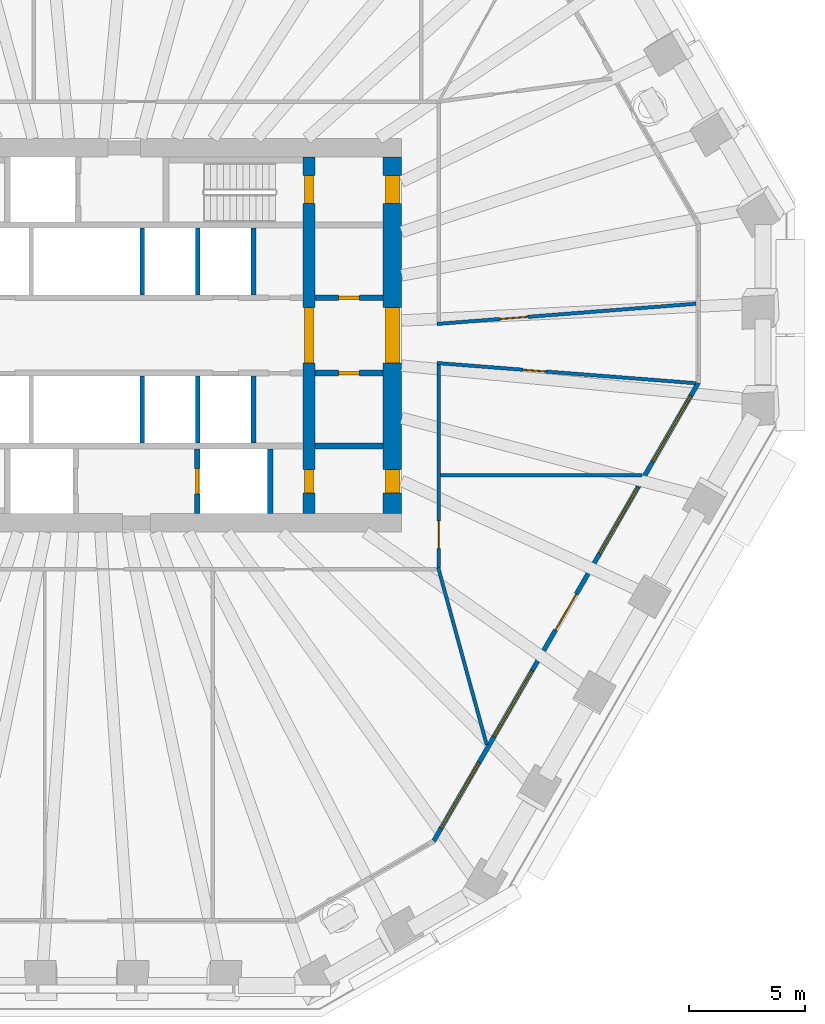
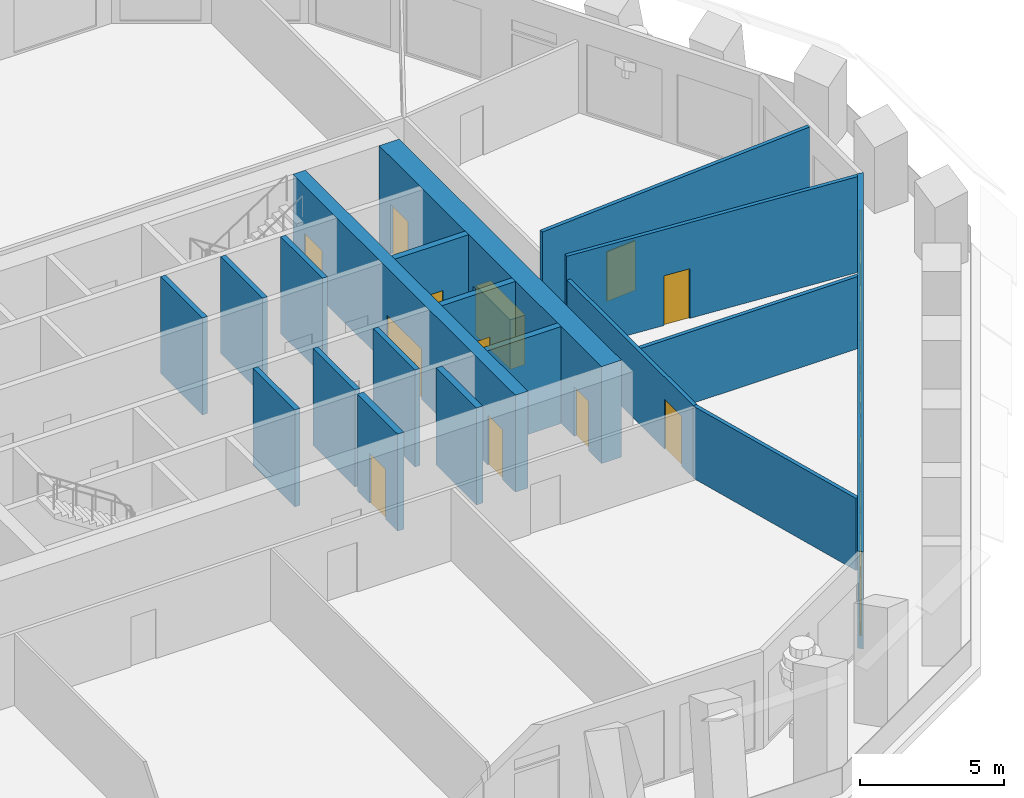
# One storey, part 5 of 12: 19 walls, 13 doors, 5 windows, 18 openings.
"""IFC4 building model written with IfcOpenShell, lengths in metres."""

from ifc_helpers import new_model, si_unit, direction, frame, frame_2d, origin, place, context, subcontext, project, spatial, polyline, rectangle, outline, extrude, material, layer, layer_set, type_object, element, fill, save


model = new_model("IFC4")

# Units and contexts
model_context = context("Model", 3, precision=1e-05, world=origin(), true_north=direction((0.0, 1.0)))
body_context = subcontext(model_context, "Body", "Model", "MODEL_VIEW")
ifc_project = project(units=[si_unit("LENGTHUNIT", "METRE"), si_unit("AREAUNIT", "SQUARE_METRE"), si_unit("VOLUMEUNIT", "CUBIC_METRE"), si_unit("PLANEANGLEUNIT", "RADIAN"), si_unit("MASSUNIT", "GRAM", prefix="KILO")], contexts=[model_context])

# Site, building, storey
site_placement = place(None, origin())
site = spatial("IfcSite", under=ifc_project, at=site_placement, CompositionType="ELEMENT")
building_placement = place(site_placement, origin())
building = spatial("IfcBuilding", under=site, at=building_placement, Name="Frailejon Research Tower", CompositionType="ELEMENT")
storey_placement = place(building_placement, frame((0.0, 0.0, 135.199951171875)))
storey = spatial("IfcBuildingStorey", under=building, at=storey_placement, Name="L29", CompositionType="ELEMENT", Elevation=135.199951171875)

# Wall, openings, doors
ifc_material_1 = material(Name="Concrete C60/75", Category="concrete")
ifc_layer_1 = layer(ifc_material_1, 0.5)
ifc_layer_set_1 = layer_set([ifc_layer_1], Name="Core shear wall 500 C60/75")
wall_type_1 = type_object("IfcWallType", Name="Core shear wall 500 C60/75", PredefinedType="SHEAR", material=ifc_layer_set_1)
wall_1_placement = place(storey_placement, frame((9.60009765625, -7.699951171875, 0.0), z_axis=(0.0, 0.0, 1.0), x_axis=(0.0, 1.0, 0.0)))
wall_1 = element("IfcWall", 1, at=wall_1_placement, inside=storey, type_object=wall_type_1, Name="Core shear wall", PredefinedType="SHEAR", context=body_context, shape_type="SweptSolid", body=[
    extrude(rectangle(XDim=15.39990234375, YDim=0.5, at=frame_2d((7.699951171875, 0.0))), origin(), (0.0, 0.0, 1.0), 4.10009765625),
])
opening_1_placement = place(wall_1_placement, frame((6.5, 0.0, 0.0)))
opening_1 = element("IfcOpeningElement", 2, at=opening_1_placement, cuts=wall_1, Name="Opening D2", PredefinedType="OPENING", context=body_context, shape_type="SweptSolid", body=[
    extrude(rectangle(XDim=2.39990234375, YDim=2.10009765625, at=frame_2d((1.199951171875, 1.050048828125))), frame((0.0, 0.260009765625, 0.0), z_axis=(0.0, -1.0, 0.0), x_axis=(1.0, 0.0, 0.0)), (0.0, 0.0, 1.0), 0.52001953125),
])
opening_2_placement = place(wall_1_placement, frame((13.39990234375, 0.0, 0.0)))
opening_2 = element("IfcOpeningElement", 3, at=opening_2_placement, cuts=wall_1, Name="Opening D1", PredefinedType="OPENING", context=body_context, shape_type="SweptSolid", body=[
    extrude(rectangle(XDim=1.199951171875, YDim=2.10009765625, at=frame_2d((0.60009765625, 1.050048828125))), frame((0.0, 0.260009765625, 0.0), z_axis=(0.0, -1.0, 0.0), x_axis=(1.0, 0.0, 0.0)), (0.0, 0.0, 1.0), 0.52001953125),
])
opening_3_placement = place(wall_1_placement, frame((0.89990234375, 0.0, 0.0)))
opening_3 = element("IfcOpeningElement", 4, at=opening_3_placement, cuts=wall_1, Name="Opening D4", PredefinedType="OPENING", context=body_context, shape_type="SweptSolid", body=[
    extrude(rectangle(XDim=1.0, YDim=2.10009765625, at=frame_2d((0.5, 1.050048828125))), frame((0.0, 0.260009765625, 0.0), z_axis=(0.0, -1.0, 0.0), x_axis=(1.0, 0.0, 0.0)), (0.0, 0.0, 1.0), 0.52001953125),
])
ifc_material_2 = material(Name="Steel", Category="steel")
door_type_1 = type_object("IfcDoorType", Name="Lobby double door", OperationType="DOUBLE_DOOR_SINGLE_SWING", PredefinedType="DOOR", material=ifc_material_2)
door_1_placement = place(opening_1_placement, origin())
door_1 = element("IfcDoor", 5, at=door_1_placement, inside=storey, type_object=door_type_1, Name="Lobby door", OperationType="DOUBLE_DOOR_SINGLE_SWING", OverallHeight=2.10009765625, OverallWidth=2.39990234375, PredefinedType="DOOR", context=body_context, shape_type="SweptSolid", body=[
    extrude(rectangle(XDim=2.39990234375, YDim=2.10009765625, at=frame_2d((1.199951171875, 1.050048828125))), frame((0.0, 0.199951171875, 0.0), z_axis=(0.0, -1.0, 0.0), x_axis=(1.0, 0.0, 0.0)), (0.0, 0.0, 1.0), 0.39990234375),
])
fill(opening_1, door_1)
ifc_material_3 = material(Name="Steel", Category="steel")
door_type_2 = type_object("IfcDoorType", Name="Service door", OperationType="SINGLE_SWING_LEFT", PredefinedType="DOOR", material=ifc_material_3)
door_2_placement = place(opening_3_placement, origin())
door_2 = element("IfcDoor", 6, at=door_2_placement, inside=storey, type_object=door_type_2, Name="Riser door", OperationType="SINGLE_SWING_RIGHT", OverallHeight=2.10009765625, OverallWidth=1.0, PredefinedType="DOOR", context=body_context, shape_type="SweptSolid", body=[
    extrude(rectangle(XDim=1.0, YDim=2.10009765625, at=frame_2d((0.5, 1.050048828125))), frame((0.0, 0.199951171875, 0.0), z_axis=(0.0, -1.0, 0.0), x_axis=(1.0, 0.0, 0.0)), (0.0, 0.0, 1.0), 0.39990234375),
])
fill(opening_3, door_2)
ifc_material_4 = material(Name="Steel", Category="steel")
door_type_3 = type_object("IfcDoorType", Name="Stair door", OperationType="SINGLE_SWING_LEFT", PredefinedType="DOOR", material=ifc_material_4)
door_3_placement = place(opening_2_placement, origin())
door_3 = element("IfcDoor", 7, at=door_3_placement, inside=storey, type_object=door_type_3, Name="Stair door ST3", OperationType="SINGLE_SWING_RIGHT", OverallHeight=2.10009765625, OverallWidth=1.199951171875, PredefinedType="DOOR", context=body_context, shape_type="SweptSolid", body=[
    extrude(rectangle(XDim=1.199951171875, YDim=2.10009765625, at=frame_2d((0.60009765625, 1.050048828125))), frame((0.0, 0.199951171875, 0.0), z_axis=(0.0, -1.0, 0.0), x_axis=(1.0, 0.0, 0.0)), (0.0, 0.0, 1.0), 0.39990234375),
])
fill(opening_2, door_3)

ifc_material_5 = material(Name="Concrete C60/75", Category="concrete")
ifc_layer_2 = layer(ifc_material_5, 0.800048828125)
ifc_layer_set_2 = layer_set([ifc_layer_2], Name="Core shear wall 800 C60/75")
wall_type_2 = type_object("IfcWallType", Name="Core shear wall 800 C60/75", PredefinedType="SHEAR", material=ifc_layer_set_2)
wall_2_placement = place(storey_placement, frame((13.199951171875, -7.699951171875, 0.0), z_axis=(0.0, 0.0, 1.0), x_axis=(0.0, 1.0, 0.0)))
wall_2 = element("IfcWall", 8, at=wall_2_placement, inside=storey, type_object=wall_type_2, Name="Core shear wall", PredefinedType="SHEAR", context=body_context, shape_type="SweptSolid", body=[
    extrude(rectangle(XDim=15.39990234375, YDim=0.800048828125, at=frame_2d((7.699951171875, 0.0))), origin(), (0.0, 0.0, 1.0), 4.10009765625),
])
opening_4_placement = place(wall_2_placement, frame((6.5, 0.0, 0.0)))
opening_4 = element("IfcOpeningElement", 9, at=opening_4_placement, cuts=wall_2, Name="Opening D2", PredefinedType="OPENING", context=body_context, shape_type="SweptSolid", body=[
    extrude(rectangle(XDim=2.39990234375, YDim=2.10009765625, at=frame_2d((1.199951171875, 1.050048828125))), frame((0.0, 0.409912109375, 0.0), z_axis=(0.0, -1.0, 0.0), x_axis=(1.0, 0.0, 0.0)), (0.0, 0.0, 1.0), 0.820068359375),
])
opening_5_placement = place(wall_2_placement, frame((13.39990234375, 0.0, 0.0)))
opening_5 = element("IfcOpeningElement", 10, at=opening_5_placement, cuts=wall_2, Name="Opening D7", PredefinedType="OPENING", context=body_context, shape_type="SweptSolid", body=[
    extrude(rectangle(XDim=1.199951171875, YDim=2.10009765625, at=frame_2d((0.60009765625, 1.050048828125))), frame((0.0, 0.409912109375, 0.0), z_axis=(0.0, -1.0, 0.0), x_axis=(1.0, 0.0, 0.0)), (0.0, 0.0, 1.0), 0.820068359375),
])
opening_6_placement = place(wall_2_placement, frame((0.89990234375, 0.0, 0.0)))
opening_6 = element("IfcOpeningElement", 11, at=opening_6_placement, cuts=wall_2, Name="Opening D4", PredefinedType="OPENING", context=body_context, shape_type="SweptSolid", body=[
    extrude(rectangle(XDim=1.0, YDim=2.10009765625, at=frame_2d((0.5, 1.050048828125))), frame((0.0, 0.409912109375, 0.0), z_axis=(0.0, -1.0, 0.0), x_axis=(1.0, 0.0, 0.0)), (0.0, 0.0, 1.0), 0.820068359375),
])
door_4_placement = place(opening_4_placement, origin())
door_4 = element("IfcDoor", 12, at=door_4_placement, inside=storey, type_object=door_type_1, Name="Lobby door", OperationType="DOUBLE_DOOR_SINGLE_SWING", OverallHeight=2.10009765625, OverallWidth=2.39990234375, PredefinedType="DOOR", context=body_context, shape_type="SweptSolid", body=[
    extrude(rectangle(XDim=2.39990234375, YDim=2.10009765625, at=frame_2d((1.199951171875, 1.050048828125))), frame((0.0, 0.300048828125, 0.0), z_axis=(0.0, -1.0, 0.0), x_axis=(1.0, 0.0, 0.0)), (0.0, 0.0, 1.0), 0.60009765625),
])
fill(opening_4, door_4)
door_5_placement = place(opening_6_placement, origin())
door_5 = element("IfcDoor", 13, at=door_5_placement, inside=storey, type_object=door_type_2, Name="Store door", OperationType="SINGLE_SWING_LEFT", OverallHeight=2.10009765625, OverallWidth=1.0, PredefinedType="DOOR", context=body_context, shape_type="SweptSolid", body=[
    extrude(rectangle(XDim=1.0, YDim=2.10009765625, at=frame_2d((0.5, 1.050048828125))), frame((0.0, 0.300048828125, 0.0), z_axis=(0.0, -1.0, 0.0), x_axis=(1.0, 0.0, 0.0)), (0.0, 0.0, 1.0), 0.60009765625),
])
fill(opening_6, door_5)
ifc_material_6 = material(Name="Steel", Category="steel")
door_type_4 = type_object("IfcDoorType", Name="Stair exit door", OperationType="SINGLE_SWING_LEFT", PredefinedType="DOOR", material=ifc_material_6)
door_6_placement = place(opening_5_placement, origin())
door_6 = element("IfcDoor", 14, at=door_6_placement, inside=storey, type_object=door_type_4, Name="Stair exit door ST3", OperationType="SINGLE_SWING_LEFT", OverallHeight=2.10009765625, OverallWidth=1.199951171875, PredefinedType="DOOR", context=body_context, shape_type="SweptSolid", body=[
    extrude(rectangle(XDim=1.199951171875, YDim=2.10009765625, at=frame_2d((0.60009765625, 1.050048828125))), frame((0.0, 0.300048828125, 0.0), z_axis=(0.0, -1.0, 0.0), x_axis=(1.0, 0.0, 0.0)), (0.0, 0.0, 1.0), 0.60009765625),
])
fill(opening_5, door_6)

# Wall, opening, door
ifc_material_7 = material(Name="Gypsum board and masonry partition", Category="masonry")
ifc_layer_3 = layer(ifc_material_7, 0.14990234375)
ifc_layer_set_3 = layer_set([ifc_layer_3], Name="Corridor wall EI 60, gypsum on steel studs 150")
wall_type_3 = type_object("IfcWallType", Name="Corridor wall EI 60, gypsum on steel studs 150", PredefinedType="PARTITIONING", material=ifc_layer_set_3)
wall_3_placement = place(storey_placement, frame((15.199951171875, -10.02490234375, 0.0), z_axis=(0.0, 0.0, 1.0), x_axis=(0.0, 1.0, 0.0)))
wall_3 = element("IfcWall", 15, at=wall_3_placement, inside=storey, type_object=wall_type_3, Name="T:IW:L29:003", PredefinedType="PARTITIONING", context=body_context, shape_type="SweptSolid", body=[
    extrude(rectangle(XDim=8.75048828125, YDim=0.14990234375, at=frame_2d((4.375244140625, 0.0))), origin(), (0.0, 0.0, 1.0), 3.050048828125),
])
opening_7_placement = place(wall_3_placement, frame((0.812744140625, 0.0, 0.0)))
opening_7 = element("IfcOpeningElement", 16, at=opening_7_placement, cuts=wall_3, Name="Opening D1693", PredefinedType="OPENING", context=body_context, shape_type="SweptSolid", body=[
    extrude(rectangle(XDim=1.199951171875, YDim=2.10009765625, at=frame_2d((0.60009765625, 1.050048828125))), frame((0.0, 0.0849609375, 0.0), z_axis=(0.0, -1.0, 0.0), x_axis=(1.0, 0.0, 0.0)), (0.0, 0.0, 1.0), 0.169921875),
])
ifc_material_8 = material(Name="Timber door leaf", Category="wood")
door_type_5 = type_object("IfcDoorType", Name="Door laboratory, timber, vision panel 1200", OperationType="NOTDEFINED", PredefinedType="DOOR", material=ifc_material_8)
door_7_placement = place(opening_7_placement, origin())
door_7 = element("IfcDoor", 17, at=door_7_placement, inside=storey, type_object=door_type_5, Name="D1693", OperationType="DOUBLE_DOOR_SINGLE_SWING", OverallHeight=2.10009765625, OverallWidth=1.199951171875, PredefinedType="DOOR", context=body_context, shape_type="SweptSolid", body=[
    extrude(rectangle(XDim=1.199951171875, YDim=2.10009765625, at=frame_2d((0.60009765625, 1.050048828125))), frame((0.0, 0.02490234375, 0.0), z_axis=(0.0, -1.0, 0.0), x_axis=(1.0, 0.0, 0.0)), (0.0, 0.0, 1.0), 0.050048828125),
])
fill(opening_7, door_7)

wall_4_placement = place(storey_placement, frame((15.125244140625, 0.494873046875, 0.0), z_axis=(0.0, 0.0, 1.0), x_axis=(0.996973035288, 0.07774809907, 0.0)))
wall_4 = element("IfcWall", 18, at=wall_4_placement, inside=storey, type_object=wall_type_3, Name="T:IW:L29:009", PredefinedType="PARTITIONING", context=body_context, shape_type="SweptSolid", body=[
    extrude(rectangle(XDim=11.2197265625, YDim=0.14990234375, at=frame_2d((5.60986328125, 0.0))), origin(), (0.0, 0.0, 1.0), 4.050048828125),
])
opening_8_placement = place(wall_4_placement, frame((2.736083984375, 0.0, 0.0)))
opening_8 = element("IfcOpeningElement", 19, at=opening_8_placement, cuts=wall_4, Name="Opening D1679", PredefinedType="OPENING", context=body_context, shape_type="SweptSolid", body=[
    extrude(rectangle(XDim=1.199951171875, YDim=2.10009765625, at=frame_2d((0.60009765625, 1.050048828125))), frame((0.0, 0.0849609375, 0.0), z_axis=(0.0, -1.0, 0.0), x_axis=(1.0, 0.0, 0.0)), (0.0, 0.0, 1.0), 0.169921875),
])
door_8_placement = place(opening_8_placement, origin())
door_8 = element("IfcDoor", 20, at=door_8_placement, inside=storey, type_object=door_type_5, Name="D1679", OperationType="DOUBLE_DOOR_SINGLE_SWING", OverallHeight=2.10009765625, OverallWidth=1.199951171875, PredefinedType="DOOR", context=body_context, shape_type="SweptSolid", body=[
    extrude(rectangle(XDim=1.199951171875, YDim=2.10009765625, at=frame_2d((0.60009765625, 1.050048828125))), frame((0.0, 0.02490234375, 0.0), z_axis=(0.0, -1.0, 0.0), x_axis=(1.0, 0.0, 0.0)), (0.0, 0.0, 1.0), 0.050048828125),
])
fill(opening_8, door_8)

wall_5_placement = place(storey_placement, frame((15.125244140625, -1.193603515625, 0.0), z_axis=(0.0, 0.0, 1.0), x_axis=(0.996973662759, -0.07774005251, 0.0)))
wall_5 = element("IfcWall", 21, at=wall_5_placement, inside=storey, type_object=wall_type_3, Name="T:IW:L29:010", PredefinedType="PARTITIONING", context=body_context, shape_type="SweptSolid", body=[
    extrude(rectangle(XDim=11.198974609375, YDim=0.14990234375, at=frame_2d((5.599609375, 0.0))), origin(), (0.0, 0.0, 1.0), 4.050048828125),
])
opening_9_placement = place(wall_5_placement, frame((3.723388671875, 0.0, 0.0)))
opening_9 = element("IfcOpeningElement", 22, at=opening_9_placement, cuts=wall_5, Name="Opening D1694", PredefinedType="OPENING", context=body_context, shape_type="SweptSolid", body=[
    extrude(rectangle(XDim=1.0, YDim=2.10009765625, at=frame_2d((0.5, 1.050048828125))), frame((0.0, 0.0849609375, 0.0), z_axis=(0.0, -1.0, 0.0), x_axis=(1.0, 0.0, 0.0)), (0.0, 0.0, 1.0), 0.169921875),
])
ifc_material_9 = material(Name="Timber door leaf", Category="wood")
door_type_6 = type_object("IfcDoorType", Name="Door single leaf, timber, steel frame 1000", OperationType="NOTDEFINED", PredefinedType="DOOR", material=ifc_material_9)
door_9_placement = place(opening_9_placement, origin())
door_9 = element("IfcDoor", 23, at=door_9_placement, inside=storey, type_object=door_type_6, Name="D1694", OperationType="SINGLE_SWING_RIGHT", OverallHeight=2.10009765625, OverallWidth=1.0, PredefinedType="DOOR", context=body_context, shape_type="SweptSolid", body=[
    extrude(rectangle(XDim=1.0, YDim=2.10009765625, at=frame_2d((0.5, 1.050048828125))), frame((0.0, 0.02490234375, 0.0), z_axis=(0.0, -1.0, 0.0), x_axis=(1.0, 0.0, 0.0)), (0.0, 0.0, 1.0), 0.050048828125),
])
fill(opening_9, door_9)

# Walls
ifc_material_10 = material(Name="Gypsum board and masonry partition", Category="masonry")
ifc_layer_4 = layer(ifc_material_10, 0.14990234375)
ifc_layer_set_4 = layer_set([ifc_layer_4], Name="Laboratory partition, blockwork 150")
wall_type_4 = type_object("IfcWallType", Name="Laboratory partition, blockwork 150", PredefinedType="PARTITIONING", material=ifc_layer_set_4)
wall_6_placement = place(storey_placement, frame((15.18017578125, -10.027587890625, 0.0), z_axis=(0.0, 0.0, 1.0), x_axis=(0.263973985393, -0.964529799973, 0.0)))
element("IfcWall", 24, at=wall_6_placement, inside=storey, type_object=wall_type_4, Name="T:IW:L29:017", PredefinedType="PARTITIONING", context=body_context, shape_type="SweptSolid", body=[
    extrude(rectangle(XDim=7.93359375, YDim=0.14990234375, at=frame_2d((3.966796875, 0.0))), origin(), (0.0, 0.0, 1.0), 3.050048828125),
])
wall_7_placement = place(storey_placement, frame((15.27490234375, -6.048828125, 0.0), z_axis=(0.0, 0.0, 1.0), x_axis=(1.0, 0.0, 0.0)))
element("IfcWall", 25, at=wall_7_placement, inside=storey, type_object=wall_type_4, Name="T:IW:L29:018", PredefinedType="PARTITIONING", context=body_context, shape_type="SweptSolid", body=[
    extrude(rectangle(XDim=8.714599609375, YDim=0.14990234375, at=frame_2d((4.357421875, 0.0))), origin(), (0.0, 0.0, 1.0), 3.050048828125),
])
ifc_material_11 = material(Name="Concrete C60/75", Category="concrete")
ifc_layer_5 = layer(ifc_material_11, 0.199951171875)
ifc_layer_set_5 = layer_set([ifc_layer_5], Name="Shaft wall 200 C60/75")
wall_type_5 = type_object("IfcWallType", Name="Shaft wall 200 C60/75", PredefinedType="SOLIDWALL", material=ifc_layer_set_5)
for number, where, z_axis, x_axis, name in (
    (26, (2.39990234375, 1.75, 0.0), (0.0, 0.0, 1.0), (0.0, 1.0, 0.0), "Shaft wall"),
    (27, (4.800048828125, 1.75, 0.0), (0.0, 0.0, 1.0), (0.0, 1.0, 0.0), "Shaft wall"),
    (28, (7.199951171875, 1.75, 0.0), (0.0, 0.0, 1.0), (0.0, 1.0, 0.0), "Shaft wall"),
    (29, (2.39990234375, -4.64990234375, 0.0), (0.0, 0.0, 1.0), (0.0, 1.0, 0.0), "Shaft wall"),
    (30, (4.800048828125, -4.64990234375, 0.0), (0.0, 0.0, 1.0), (0.0, 1.0, 0.0), "Shaft wall"),
    (31, (7.199951171875, -4.64990234375, 0.0), (0.0, 0.0, 1.0), (0.0, 1.0, 0.0), "Shaft wall"),
):
    element("IfcWall", number, at=place(storey_placement, frame(where, z_axis=z_axis, x_axis=x_axis)), inside=storey, type_object=wall_type_5, Name=name, PredefinedType="SOLIDWALL", context=body_context, shape_type="SweptSolid", body=[
        extrude(rectangle(XDim=2.89990234375, YDim=0.199951171875, at=frame_2d((1.449951171875, 0.0))), origin(), (0.0, 0.0, 1.0), 4.10009765625),
    ])

# Wall, opening, door
ifc_material_12 = material(Name="Concrete C60/75", Category="concrete")
ifc_layer_6 = layer(ifc_material_12, 0.25)
ifc_layer_set_6 = layer_set([ifc_layer_6], Name="Shaft wall 250 C60/75")
wall_type_6 = type_object("IfcWallType", Name="Shaft wall 250 C60/75", PredefinedType="SOLIDWALL", material=ifc_layer_set_6)
wall_8_placement = place(storey_placement, frame((9.85009765625, 1.625, 0.0), z_axis=(0.0, 0.0, 1.0), x_axis=(1.0, 0.0, 0.0)))
wall_8 = element("IfcWall", 32, at=wall_8_placement, inside=storey, type_object=wall_type_6, Name="Shaft wall", PredefinedType="SOLIDWALL", context=body_context, shape_type="SweptSolid", body=[
    extrude(rectangle(XDim=2.949951171875, YDim=0.25, at=frame_2d((1.47509765625, 0.0))), origin(), (0.0, 0.0, 1.0), 4.10009765625),
])
opening_10_placement = place(wall_8_placement, frame((1.02490234375, 0.0, 0.0)))
opening_10 = element("IfcOpeningElement", 33, at=opening_10_placement, cuts=wall_8, Name="Opening D8", PredefinedType="OPENING", context=body_context, shape_type="SweptSolid", body=[
    extrude(rectangle(XDim=0.89990234375, YDim=2.10009765625, at=frame_2d((0.449951171875, 1.050048828125))), frame((0.0, 0.135009765625, 0.0), z_axis=(0.0, -1.0, 0.0), x_axis=(1.0, 0.0, 0.0)), (0.0, 0.0, 1.0), 0.27001953125),
])
ifc_material_13 = material(Name="Steel", Category="steel")
door_type_7 = type_object("IfcDoorType", Name="Core room door", OperationType="SINGLE_SWING_LEFT", PredefinedType="DOOR", material=ifc_material_13)
door_10_placement = place(opening_10_placement, origin())
door_10 = element("IfcDoor", 34, at=door_10_placement, inside=storey, type_object=door_type_7, Name="Room door", OperationType="SINGLE_SWING_LEFT", OverallHeight=2.10009765625, OverallWidth=0.89990234375, PredefinedType="DOOR", context=body_context, shape_type="SweptSolid", body=[
    extrude(rectangle(XDim=0.89990234375, YDim=2.10009765625, at=frame_2d((0.449951171875, 1.050048828125))), frame((0.0, 0.074951171875, 0.0), z_axis=(0.0, -1.0, 0.0), x_axis=(1.0, 0.0, 0.0)), (0.0, 0.0, 1.0), 0.14990234375),
])
fill(opening_10, door_10)

wall_9_placement = place(storey_placement, frame((9.85009765625, -1.625, 0.0), z_axis=(0.0, 0.0, 1.0), x_axis=(1.0, 0.0, 0.0)))
wall_9 = element("IfcWall", 35, at=wall_9_placement, inside=storey, type_object=wall_type_6, Name="Shaft wall", PredefinedType="SOLIDWALL", context=body_context, shape_type="SweptSolid", body=[
    extrude(rectangle(XDim=2.949951171875, YDim=0.25, at=frame_2d((1.47509765625, 0.0))), origin(), (0.0, 0.0, 1.0), 4.10009765625),
])
opening_11_placement = place(wall_9_placement, frame((1.02490234375, 0.0, 0.0)))
opening_11 = element("IfcOpeningElement", 36, at=opening_11_placement, cuts=wall_9, Name="Opening D8", PredefinedType="OPENING", context=body_context, shape_type="SweptSolid", body=[
    extrude(rectangle(XDim=0.89990234375, YDim=2.10009765625, at=frame_2d((0.449951171875, 1.050048828125))), frame((0.0, 0.135009765625, 0.0), z_axis=(0.0, -1.0, 0.0), x_axis=(1.0, 0.0, 0.0)), (0.0, 0.0, 1.0), 0.27001953125),
])
door_11_placement = place(opening_11_placement, origin())
door_11 = element("IfcDoor", 37, at=door_11_placement, inside=storey, type_object=door_type_7, Name="Room door", OperationType="SINGLE_SWING_LEFT", OverallHeight=2.10009765625, OverallWidth=0.89990234375, PredefinedType="DOOR", context=body_context, shape_type="SweptSolid", body=[
    extrude(rectangle(XDim=0.89990234375, YDim=2.10009765625, at=frame_2d((0.449951171875, 1.050048828125))), frame((0.0, 0.074951171875, 0.0), z_axis=(0.0, -1.0, 0.0), x_axis=(1.0, 0.0, 0.0)), (0.0, 0.0, 1.0), 0.14990234375),
])
fill(opening_11, door_11)

# Wall
wall_10_placement = place(storey_placement, frame((9.85009765625, -4.77490234375, 0.0), z_axis=(0.0, 0.0, 1.0), x_axis=(1.0, 0.0, 0.0)))
element("IfcWall", 38, at=wall_10_placement, inside=storey, type_object=wall_type_6, Name="Shaft wall", PredefinedType="SOLIDWALL", context=body_context, shape_type="SweptSolid", body=[
    extrude(rectangle(XDim=2.949951171875, YDim=0.25, at=frame_2d((1.47509765625, 0.0))), origin(), (0.0, 0.0, 1.0), 4.10009765625),
])

# Wall, opening, door
wall_11_placement = place(storey_placement, frame((4.77490234375, -7.699951171875, 0.0), z_axis=(0.0, 0.0, 1.0), x_axis=(0.0, 1.0, 0.0)))
wall_11 = element("IfcWall", 39, at=wall_11_placement, inside=storey, type_object=wall_type_6, Name="Shaft wall", PredefinedType="SOLIDWALL", context=body_context, shape_type="SweptSolid", body=[
    extrude(rectangle(XDim=2.800048828125, YDim=0.25, at=frame_2d((1.39990234375, 0.0))), origin(), (0.0, 0.0, 1.0), 4.10009765625),
])
opening_12_placement = place(wall_11_placement, frame((0.85009765625, 0.0, 0.0)))
opening_12 = element("IfcOpeningElement", 40, at=opening_12_placement, cuts=wall_11, Name="Opening LD", PredefinedType="OPENING", context=body_context, shape_type="SweptSolid", body=[
    extrude(rectangle(XDim=1.10009765625, YDim=2.10009765625, at=frame_2d((0.550048828125, 1.050048828125))), frame((0.0, 0.135009765625, 0.0), z_axis=(0.0, -1.0, 0.0), x_axis=(1.0, 0.0, 0.0)), (0.0, 0.0, 1.0), 0.27001953125),
])
ifc_material_14 = material(Name="Steel", Category="steel")
door_type_8 = type_object("IfcDoorType", Name="Lift landing door", OperationType="DOUBLE_DOOR_SLIDING", PredefinedType="DOOR", material=ifc_material_14)
door_12_placement = place(opening_12_placement, origin())
door_12 = element("IfcDoor", 41, at=door_12_placement, inside=storey, type_object=door_type_8, Name="Lift landing door", OperationType="DOUBLE_DOOR_SLIDING", OverallHeight=2.10009765625, OverallWidth=1.10009765625, PredefinedType="DOOR", context=body_context, shape_type="SweptSolid", body=[
    extrude(rectangle(XDim=1.10009765625, YDim=2.10009765625, at=frame_2d((0.550048828125, 1.050048828125))), frame((0.0, 0.074951171875, 0.0), z_axis=(0.0, -1.0, 0.0), x_axis=(1.0, 0.0, 0.0)), (0.0, 0.0, 1.0), 0.14990234375),
])
fill(opening_12, door_12)

# Wall
wall_12_placement = place(storey_placement, frame((7.925048828125, -7.699951171875, 0.0), z_axis=(0.0, 0.0, 1.0), x_axis=(0.0, 1.0, 0.0)))
element("IfcWall", 42, at=wall_12_placement, inside=storey, type_object=wall_type_6, Name="Shaft wall", PredefinedType="SOLIDWALL", context=body_context, shape_type="SweptSolid", body=[
    extrude(rectangle(XDim=2.800048828125, YDim=0.25, at=frame_2d((1.39990234375, 0.0))), origin(), (0.0, 0.0, 1.0), 4.10009765625),
])

# Wall, openings, door, windows
ifc_material_15 = material(Name="Concrete C40/50 precast window wall panel", Category="concrete")
ifc_layer_7 = layer(ifc_material_15, 0.199951171875)
ifc_layer_set_7 = layer_set([ifc_layer_7], Name="Window wall 200")
wall_type_7 = type_object("IfcWallType", Name="Window wall 200", PredefinedType="SOLIDWALL", material=ifc_layer_set_7)
wall_13_placement = place(storey_placement, frame((14.98486328125, -21.845458984375, 0.0), z_axis=(0.0, 0.0, 1.0), x_axis=(0.50000204422, 0.86602422355, 0.0)))
wall_13 = element("IfcWall", 43, at=wall_13_placement, inside=storey, type_object=wall_type_7, Name="Exterior wall L29", PredefinedType="SOLIDWALL", context=body_context, shape_type="SweptSolid", body=[
    extrude(outline(polyline([(-0.02685546875, -0.10009765625), (1.014404296875, -0.10009765625), (2.055419921875, -0.10009765625), (3.0966796875, -0.10009765625), (4.137939453125, -0.10009765625), (5.17919921875, -0.10009765625), (6.22021484375, -0.10009765625), (7.261474609375, -0.10009765625), (8.302734375, -0.10009765625), (9.343994140625, -0.10009765625), (10.385009765625, -0.10009765625), (11.42626953125, -0.10009765625), (12.467529296875, -0.10009765625), (13.508544921875, -0.10009765625), (14.5498046875, -0.10009765625), (15.591064453125, -0.10009765625), (16.63232421875, -0.10009765625), (17.67333984375, -0.10009765625), (18.714599609375, -0.10009765625), (19.755859375, -0.10009765625), (20.797119140625, -0.10009765625), (21.838134765625, -0.10009765625), (22.87939453125, -0.10009765625), (22.82568359375, 0.10009765625), (21.789306640625, 0.10009765625), (20.753173828125, 0.10009765625), (19.716796875, 0.10009765625), (18.680419921875, 0.10009765625), (17.64404296875, 0.10009765625), (16.60791015625, 0.10009765625), (15.571533203125, 0.10009765625), (14.53515625, 0.10009765625), (13.498779296875, 0.10009765625), (12.462646484375, 0.10009765625), (11.42626953125, 0.10009765625), (10.389892578125, 0.10009765625), (9.353759765625, 0.10009765625), (8.3173828125, 0.10009765625), (7.281005859375, 0.10009765625), (6.24462890625, 0.10009765625), (5.20849609375, 0.10009765625), (4.172119140625, 0.10009765625), (3.1357421875, 0.10009765625), (2.099365234375, 0.10009765625), (1.063232421875, 0.10009765625), (0.02685546875, 0.10009765625), (-0.02685546875, -0.10009765625)])), origin(), (0.0, 0.0, 1.0), 4.10009765625),
])
opening_13_placement = place(wall_13_placement, frame((0.63525390625, 0.0, 0.10009765625)))
opening_13 = element("IfcOpeningElement", 44, at=opening_13_placement, cuts=wall_13, Name="Opening W5", PredefinedType="OPENING", context=body_context, shape_type="SweptSolid", body=[
    extrude(rectangle(XDim=3.300048828125, YDim=2.89990234375, at=frame_2d((1.64990234375, 1.449951171875))), frame((0.0, 0.10986328125, 0.0), z_axis=(0.0, -1.0, 0.0), x_axis=(1.0, 0.0, 0.0)), (0.0, 0.0, 1.0), 0.219970703125),
])
opening_14_placement = place(wall_13_placement, frame((5.205810546875, 0.0, 0.10009765625)))
opening_14 = element("IfcOpeningElement", 45, at=opening_14_placement, cuts=wall_13, Name="Opening W5", PredefinedType="OPENING", context=body_context, shape_type="SweptSolid", body=[
    extrude(rectangle(XDim=3.300048828125, YDim=2.89990234375, at=frame_2d((1.64990234375, 1.449951171875))), frame((0.0, 0.10986328125, 0.0), z_axis=(0.0, -1.0, 0.0), x_axis=(1.0, 0.0, 0.0)), (0.0, 0.0, 1.0), 0.219970703125),
])
opening_15_placement = place(wall_13_placement, frame((10.5263671875, 0.0, 0.0)))
opening_15 = element("IfcOpeningElement", 46, at=opening_15_placement, cuts=wall_13, Name="Opening LG29-6", PredefinedType="OPENING", context=body_context, shape_type="SweptSolid", body=[
    extrude(rectangle(XDim=1.800048828125, YDim=2.39990234375, at=frame_2d((0.89990234375, 1.199951171875))), frame((0.0, 0.10986328125, 0.0), z_axis=(0.0, -1.0, 0.0), x_axis=(1.0, 0.0, 0.0)), (0.0, 0.0, 1.0), 0.219970703125),
])
opening_16_placement = place(wall_13_placement, frame((10.5263671875, 0.0, 2.550048828125)))
opening_16 = element("IfcOpeningElement", 47, at=opening_16_placement, cuts=wall_13, Name="Opening W1", PredefinedType="OPENING", context=body_context, shape_type="SweptSolid", body=[
    extrude(rectangle(XDim=1.800048828125, YDim=0.449951171875, at=frame_2d((0.89990234375, 0.22509765625))), frame((0.0, 0.10986328125, 0.0), z_axis=(0.0, -1.0, 0.0), x_axis=(1.0, 0.0, 0.0)), (0.0, 0.0, 1.0), 0.219970703125),
])
opening_17_placement = place(wall_13_placement, frame((14.3466796875, 0.0, 0.10009765625)))
opening_17 = element("IfcOpeningElement", 48, at=opening_17_placement, cuts=wall_13, Name="Opening W5", PredefinedType="OPENING", context=body_context, shape_type="SweptSolid", body=[
    extrude(rectangle(XDim=3.300048828125, YDim=2.89990234375, at=frame_2d((1.64990234375, 1.449951171875))), frame((0.0, 0.10986328125, 0.0), z_axis=(0.0, -1.0, 0.0), x_axis=(1.0, 0.0, 0.0)), (0.0, 0.0, 1.0), 0.219970703125),
])
opening_18_placement = place(wall_13_placement, frame((18.917236328125, 0.0, 0.10009765625)))
opening_18 = element("IfcOpeningElement", 49, at=opening_18_placement, cuts=wall_13, Name="Opening W5", PredefinedType="OPENING", context=body_context, shape_type="SweptSolid", body=[
    extrude(rectangle(XDim=3.300048828125, YDim=2.89990234375, at=frame_2d((1.64990234375, 1.449951171875))), frame((0.0, 0.10986328125, 0.0), z_axis=(0.0, -1.0, 0.0), x_axis=(1.0, 0.0, 0.0)), (0.0, 0.0, 1.0), 0.219970703125),
])
ifc_material_16 = material(Name="Aluminium framed glazed door leaf", Category="aluminium")
door_type_9 = type_object("IfcDoorType", Name="Loggia door 1800x2400", OperationType="DOUBLE_DOOR_SINGLE_SWING", PredefinedType="DOOR", material=ifc_material_16)
door_13_placement = place(opening_15_placement, origin())
door_13 = element("IfcDoor", 50, at=door_13_placement, inside=storey, type_object=door_type_9, Name="Door LG29-6", OperationType="DOUBLE_DOOR_SINGLE_SWING", OverallHeight=2.39990234375, OverallWidth=1.800048828125, PredefinedType="DOOR", context=body_context, shape_type="SweptSolid", body=[
    extrude(rectangle(XDim=1.800048828125, YDim=2.39990234375, at=frame_2d((0.89990234375, 1.199951171875))), frame((0.0, 0.02490234375, 0.0), z_axis=(0.0, -1.0, 0.0), x_axis=(1.0, 0.0, 0.0)), (0.0, 0.0, 1.0), 0.050048828125),
])
fill(opening_15, door_13)
ifc_material_17 = material(Name="Aluminium framed double glazing", Category="aluminium")
window_type_1 = type_object("IfcWindowType", Name="Window 1800x450", PartitioningType="SINGLE_PANEL", PredefinedType="WINDOW", material=ifc_material_17)
window_1_placement = place(opening_16_placement, origin())
window_1 = element("IfcWindow", 51, at=window_1_placement, inside=storey, type_object=window_type_1, Name="Window L29", OverallHeight=0.449951171875, OverallWidth=1.800048828125, PartitioningType="SINGLE_PANEL", PredefinedType="WINDOW", context=body_context, shape_type="SweptSolid", body=[
    extrude(rectangle(XDim=1.800048828125, YDim=0.449951171875, at=frame_2d((0.89990234375, 0.22509765625))), frame((0.0, 0.030029296875, 0.0), z_axis=(0.0, -1.0, 0.0), x_axis=(1.0, 0.0, 0.0)), (0.0, 0.0, 1.0), 0.06005859375),
])
fill(opening_16, window_1)
ifc_material_18 = material(Name="Aluminium framed double glazing", Category="aluminium")
window_type_2 = type_object("IfcWindowType", Name="Window 3300x2900", PartitioningType="SINGLE_PANEL", PredefinedType="WINDOW", material=ifc_material_18)
window_2_placement = place(opening_13_placement, origin())
window_2 = element("IfcWindow", 52, at=window_2_placement, inside=storey, type_object=window_type_2, Name="Window L29", OverallHeight=2.89990234375, OverallWidth=3.300048828125, PartitioningType="SINGLE_PANEL", PredefinedType="WINDOW", context=body_context, shape_type="SweptSolid", body=[
    extrude(rectangle(XDim=3.300048828125, YDim=2.89990234375, at=frame_2d((1.64990234375, 1.449951171875))), frame((0.0, 0.030029296875, 0.0), z_axis=(0.0, -1.0, 0.0), x_axis=(1.0, 0.0, 0.0)), (0.0, 0.0, 1.0), 0.06005859375),
])
fill(opening_13, window_2)
window_3_placement = place(opening_14_placement, origin())
window_3 = element("IfcWindow", 53, at=window_3_placement, inside=storey, type_object=window_type_2, Name="Window L29", OverallHeight=2.89990234375, OverallWidth=3.300048828125, PartitioningType="SINGLE_PANEL", PredefinedType="WINDOW", context=body_context, shape_type="SweptSolid", body=[
    extrude(rectangle(XDim=3.300048828125, YDim=2.89990234375, at=frame_2d((1.64990234375, 1.449951171875))), frame((0.0, 0.030029296875, 0.0), z_axis=(0.0, -1.0, 0.0), x_axis=(1.0, 0.0, 0.0)), (0.0, 0.0, 1.0), 0.06005859375),
])
fill(opening_14, window_3)
window_4_placement = place(opening_17_placement, origin())
window_4 = element("IfcWindow", 54, at=window_4_placement, inside=storey, type_object=window_type_2, Name="Window L29", OverallHeight=2.89990234375, OverallWidth=3.300048828125, PartitioningType="SINGLE_PANEL", PredefinedType="WINDOW", context=body_context, shape_type="SweptSolid", body=[
    extrude(rectangle(XDim=3.300048828125, YDim=2.89990234375, at=frame_2d((1.64990234375, 1.449951171875))), frame((0.0, 0.030029296875, 0.0), z_axis=(0.0, -1.0, 0.0), x_axis=(1.0, 0.0, 0.0)), (0.0, 0.0, 1.0), 0.06005859375),
])
fill(opening_17, window_4)
window_5_placement = place(opening_18_placement, origin())
window_5 = element("IfcWindow", 55, at=window_5_placement, inside=storey, type_object=window_type_2, Name="Window L29", OverallHeight=2.89990234375, OverallWidth=3.300048828125, PartitioningType="SINGLE_PANEL", PredefinedType="WINDOW", context=body_context, shape_type="SweptSolid", body=[
    extrude(rectangle(XDim=3.300048828125, YDim=2.89990234375, at=frame_2d((1.64990234375, 1.449951171875))), frame((0.0, 0.030029296875, 0.0), z_axis=(0.0, -1.0, 0.0), x_axis=(1.0, 0.0, 0.0)), (0.0, 0.0, 1.0), 0.06005859375),
])
fill(opening_18, window_5)

save(model, "model.ifc")
